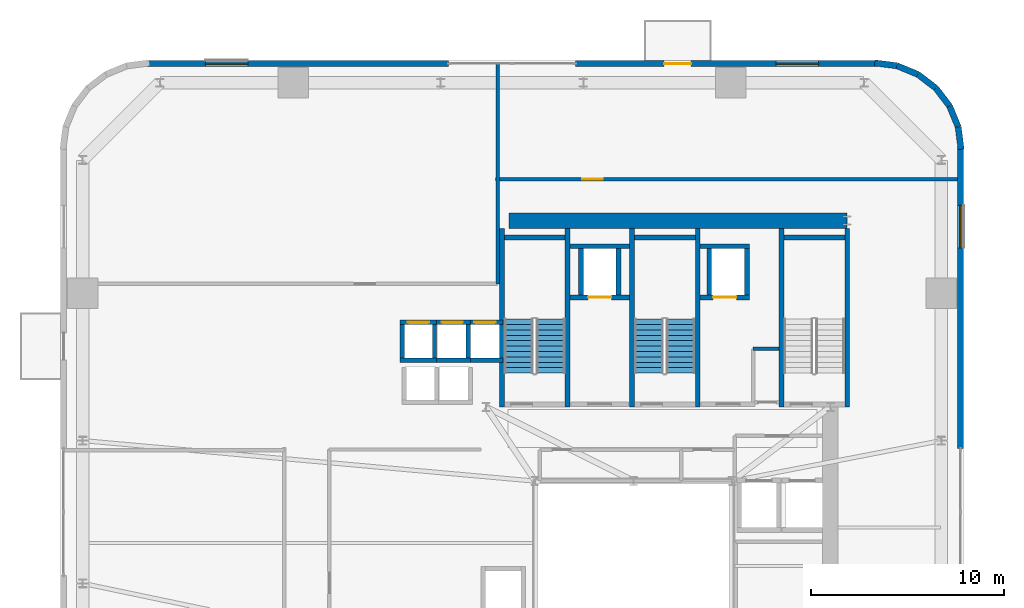
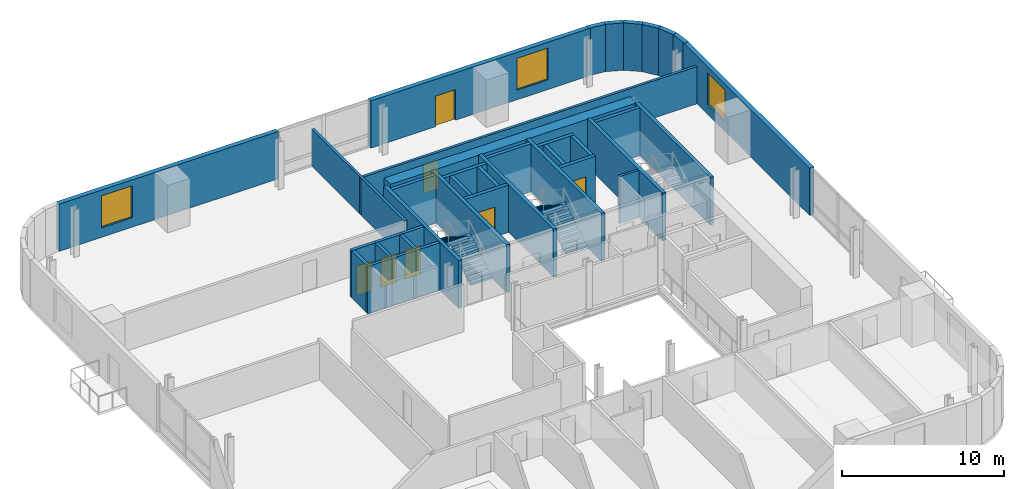
# One storey, part 8 of 14: 39 walls, 7 doors, 4 stair flights, 3 windows, 10 openings, 2 elements without a shape of their own.
"""IFC4 building model written with IfcOpenShell, lengths in metres."""

from ifc_helpers import new_model, si_unit, direction, frame, frame_2d, origin, place, context, subcontext, project, spatial, polyline, rectangle, outline, extrude, source, transform, mapped, material, layer, layer_set, type_object, element, fill, aggregate, save


model = new_model("IFC4")

# Units and contexts
model_context = context("Model", 3, precision=1e-05, world=origin(), true_north=direction((0.0, 1.0)))
body_context = subcontext(model_context, "Body", "Model", "MODEL_VIEW")
ifc_project = project(units=[si_unit("LENGTHUNIT", "METRE"), si_unit("AREAUNIT", "SQUARE_METRE"), si_unit("VOLUMEUNIT", "CUBIC_METRE"), si_unit("PLANEANGLEUNIT", "RADIAN"), si_unit("MASSUNIT", "GRAM", prefix="KILO")], contexts=[model_context])

# Site, building, storey
site_placement = place(None, origin())
site = spatial("IfcSite", under=ifc_project, at=site_placement, CompositionType="ELEMENT")
building_placement = place(site_placement, origin())
building = spatial("IfcBuilding", under=site, at=building_placement, Name="Vardaveli Station Tower", CompositionType="ELEMENT")
storey_placement = place(building_placement, frame((0.0, 0.0, 107.5)))
storey = spatial("IfcBuildingStorey", under=building, at=storey_placement, Name="L27", CompositionType="ELEMENT", Elevation=107.5)

# Wall
ifc_material_1 = material(Name="Concrete C50/60", Category="concrete")
ifc_layer_1 = layer(ifc_material_1, 0.800048828125, Name="Concrete C50/60")
ifc_layer_set_1 = layer_set([ifc_layer_1], Name="Concrete C50/60")
wall_type_1 = type_object("IfcWallType", Name="WAL-CORE-800", PredefinedType="SHEAR", material=ifc_layer_set_1)
shared_shape_1 = source(origin(), body_context, "Body", "SweptSolid", [
    extrude(rectangle(XDim=17.52001953125, YDim=0.800048828125, at=frame_2d((8.760009765625, 0.0))), origin(), (0.0, 0.0, 1.0), 3.56005859375),
])
wall_1_placement = place(storey_placement, frame((29.85009765625, 40.300048828125, 0.0), z_axis=(0.0, 0.0, 1.0), x_axis=(1.0, 0.0, 0.0)))
element("IfcWall", 1, at=wall_1_placement, inside=storey, type_object=wall_type_1, Name="SW-L27-NORTH", PredefinedType="SHEAR", context=body_context, shape_type="MappedRepresentation", body=[
    mapped(shared_shape_1, transform((0.0, 0.0, 0.0), scale=1.0)),
])

# Wall, openings, door, window
ifc_material_2 = material(Name="Precast concrete C45/55", Category="concrete")
ifc_layer_2 = layer(ifc_material_2, 0.320068359375, Name="Precast concrete C45/55")
ifc_layer_set_2 = layer_set([ifc_layer_2], Name="Precast concrete C45/55")
wall_type_2 = type_object("IfcWallType", Name="WAL-EXT-STONE-320", PredefinedType="SOLIDWALL", material=ifc_layer_set_2)
shared_shape_2 = source(origin(), body_context, "Body", "SweptSolid", [
    extrude(rectangle(XDim=15.599853515625, YDim=0.320068359375, at=frame_2d((7.7998046875, 0.0))), origin(), (0.0, 0.0, 1.0), 3.56005859375),
])
wall_2_placement = place(storey_placement, frame((48.89990234375, 48.43994140625, 0.0), z_axis=(0.0, 0.0, 1.0), x_axis=(-1.0, 0.0, 0.0)))
wall_2 = element("IfcWall", 2, at=wall_2_placement, inside=storey, type_object=wall_type_2, Name="EW-L27-N1", PredefinedType="SOLIDWALL", context=body_context, shape_type="MappedRepresentation", body=[
    mapped(shared_shape_2, transform((0.0, 0.0, 0.0), scale=1.0)),
])
shared_shape_3 = source(origin(), body_context, "Body", "SweptSolid", [
    extrude(rectangle(XDim=1.39990234375, YDim=2.300048828125, at=frame_2d((0.699951171875, 1.14990234375))), frame((0.0, 0.169921875, 0.0), z_axis=(0.0, -1.0, 0.0), x_axis=(1.0, 0.0, 0.0)), (0.0, 0.0, 1.0), 0.340087890625),
])
opening_1_placement = place(wall_2_placement, frame((9.6103515625, 0.0, 0.0)))
opening_1 = element("IfcOpeningElement", 3, at=opening_1_placement, cuts=wall_2, Name="Opening D-09", PredefinedType="OPENING", context=body_context, shape_type="MappedRepresentation", body=[
    mapped(shared_shape_3, transform((0.0, 0.0, 0.0), scale=1.0)),
])
shared_shape_4 = source(origin(), body_context, "Body", "SweptSolid", [
    extrude(rectangle(XDim=2.199951171875, YDim=2.39990234375, at=frame_2d((1.10009765625, 1.199951171875))), frame((0.0, 0.169921875, 0.0), z_axis=(0.0, -1.0, 0.0), x_axis=(1.0, 0.0, 0.0)), (0.0, 0.0, 1.0), 0.340087890625),
])
opening_2_placement = place(wall_2_placement, frame((3.0048828125, 0.0, 0.719970703125)))
opening_2 = element("IfcOpeningElement", 4, at=opening_2_placement, cuts=wall_2, Name="Opening W-03", PredefinedType="OPENING", context=body_context, shape_type="MappedRepresentation", body=[
    mapped(shared_shape_4, transform((0.0, 0.0, 0.0), scale=1.0)),
])
ifc_material_3 = material(Name="Thermally broken aluminium glass", Category="aluminium")
door_type_1 = type_object("IfcDoorType", Name="DR-LOG-1400x2300", OperationType="DOUBLE_DOOR_SLIDING", PredefinedType="DOOR", material=ifc_material_3)
shared_shape_5 = source(origin(), body_context, "Body", "SweptSolid", [
    extrude(rectangle(XDim=1.39990234375, YDim=2.300048828125, at=frame_2d((0.699951171875, 1.14990234375))), frame((0.0, 0.02490234375, 0.0), z_axis=(0.0, -1.0, 0.0), x_axis=(1.0, 0.0, 0.0)), (0.0, 0.0, 1.0), 0.050048828125),
])
door_1_placement = place(opening_1_placement, frame((1.39990234375, 0.0, 0.0), z_axis=(0.0, 0.0, 1.0), x_axis=(-1.0, 0.0, 0.0)))
door_1 = element("IfcDoor", 5, at=door_1_placement, inside=storey, type_object=door_type_1, Name="DLG-L27-N", OperationType="DOUBLE_DOOR_SLIDING", OverallHeight=2.300048828125, OverallWidth=1.39990234375, PredefinedType="DOOR", context=body_context, shape_type="MappedRepresentation", body=[
    mapped(shared_shape_5, transform((0.0, 0.0, 0.0), scale=1.0)),
])
fill(opening_1, door_1)
ifc_material_4 = material(Name="Low-E solar-control glass", Category="glass")
window_type = type_object("IfcWindowType", Name="WIN-LOG-2200x2400", PartitioningType="SINGLE_PANEL", PredefinedType="WINDOW", material=ifc_material_4)
shared_shape_6 = source(origin(), body_context, "Body", "SweptSolid", [
    extrude(rectangle(XDim=2.199951171875, YDim=2.39990234375, at=frame_2d((1.10009765625, 1.199951171875))), frame((0.0, 0.030029296875, 0.0), z_axis=(0.0, -1.0, 0.0), x_axis=(1.0, 0.0, 0.0)), (0.0, 0.0, 1.0), 0.06005859375),
])
window_1_placement = place(opening_2_placement, origin())
window_1 = element("IfcWindow", 6, at=window_1_placement, inside=storey, type_object=window_type, Name="WN-L27-N1", OverallHeight=2.39990234375, OverallWidth=2.199951171875, PartitioningType="SINGLE_PANEL", PredefinedType="WINDOW", context=body_context, shape_type="MappedRepresentation", body=[
    mapped(shared_shape_6, transform((0.0, 0.0, 0.0), scale=1.0)),
])
fill(opening_2, window_1)

# Wall, opening, window
wall_3_placement = place(storey_placement, frame((26.699951171875, 48.43994140625, 0.0), z_axis=(0.0, 0.0, 1.0), x_axis=(-1.0, 0.0, 0.0)))
wall_3 = element("IfcWall", 7, at=wall_3_placement, inside=storey, type_object=wall_type_2, Name="EW-L27-N2", PredefinedType="SOLIDWALL", context=body_context, shape_type="MappedRepresentation", body=[
    mapped(shared_shape_2, transform((0.0, 0.0, 0.0), scale=1.0)),
])
opening_3_placement = place(wall_3_placement, frame((10.39501953125, 0.0, 0.719970703125)))
opening_3 = element("IfcOpeningElement", 8, at=opening_3_placement, cuts=wall_3, Name="Opening W-03", PredefinedType="OPENING", context=body_context, shape_type="MappedRepresentation", body=[
    mapped(shared_shape_4, transform((0.0, 0.0, 0.0), scale=1.0)),
])
window_2_placement = place(opening_3_placement, origin())
window_2 = element("IfcWindow", 9, at=window_2_placement, inside=storey, type_object=window_type, Name="WN-L27-N2", OverallHeight=2.39990234375, OverallWidth=2.199951171875, PartitioningType="SINGLE_PANEL", PredefinedType="WINDOW", context=body_context, shape_type="MappedRepresentation", body=[
    mapped(shared_shape_6, transform((0.0, 0.0, 0.0), scale=1.0)),
])
fill(opening_3, window_2)

shared_shape_7 = source(origin(), body_context, "Body", "SweptSolid", [
    extrude(rectangle(XDim=15.60009765625, YDim=0.320068359375, at=frame_2d((7.800048828125, 0.0))), origin(), (0.0, 0.0, 1.0), 3.56005859375),
])
wall_4_placement = place(storey_placement, frame((53.239990234375, 28.5, 0.0), z_axis=(0.0, 0.0, 1.0), x_axis=(0.0, 1.0, 0.0)))
wall_4 = element("IfcWall", 10, at=wall_4_placement, inside=storey, type_object=wall_type_2, Name="EW-L27-E2", PredefinedType="SOLIDWALL", context=body_context, shape_type="MappedRepresentation", body=[
    mapped(shared_shape_7, transform((0.0, 0.0, 0.0), scale=1.0)),
])
opening_4_placement = place(wall_4_placement, frame((10.39501953125, 0.0, 0.719970703125)))
opening_4 = element("IfcOpeningElement", 11, at=opening_4_placement, cuts=wall_4, Name="Opening W-03", PredefinedType="OPENING", context=body_context, shape_type="MappedRepresentation", body=[
    mapped(shared_shape_4, transform((0.0, 0.0, 0.0), scale=1.0)),
])
window_3_placement = place(opening_4_placement, origin())
window_3 = element("IfcWindow", 12, at=window_3_placement, inside=storey, type_object=window_type, Name="WN-L27-E2", OverallHeight=2.39990234375, OverallWidth=2.199951171875, PartitioningType="SINGLE_PANEL", PredefinedType="WINDOW", context=body_context, shape_type="MappedRepresentation", body=[
    mapped(shared_shape_6, transform((0.0, 0.0, 0.0), scale=1.0)),
])
fill(opening_4, window_3)

# Walls
shared_shape_8 = source(origin(), body_context, "Body", "SweptSolid", [
    extrude(rectangle(XDim=1.1689453125, YDim=0.320068359375, at=frame_2d((0.58447265625, 0.0))), origin(), (0.0, 0.0, 1.0), 3.56005859375),
])
wall_5_placement = place(storey_placement, frame((52.679931640625, 46.2412109375, 0.0), z_axis=(0.0, 0.0, 1.0), x_axis=(-0.608387696831, 0.793639975269, 0.0)))
element("IfcWall", 13, at=wall_5_placement, inside=storey, type_object=wall_type_2, Name="EW-L27-CR3-3", PredefinedType="SOLIDWALL", context=body_context, shape_type="MappedRepresentation", body=[
    mapped(shared_shape_8, transform((0.0, 0.0, 0.0), scale=1.0)),
])
shared_shape_9 = source(origin(), body_context, "Body", "SweptSolid", [
    extrude(rectangle(XDim=1.168701171875, YDim=0.320068359375, at=frame_2d((0.58447265625, 0.0))), origin(), (0.0, 0.0, 1.0), 3.56005859375),
])
wall_6_placement = place(storey_placement, frame((51.96875, 47.1689453125, 0.0), z_axis=(0.0, 0.0, 1.0), x_axis=(-0.793663520347, 0.608356981114, 0.0)))
element("IfcWall", 14, at=wall_6_placement, inside=storey, type_object=wall_type_2, Name="EW-L27-CR3-4", PredefinedType="SOLIDWALL", context=body_context, shape_type="MappedRepresentation", body=[
    mapped(shared_shape_9, transform((0.0, 0.0, 0.0), scale=1.0)),
])
shared_shape_10 = source(origin(), body_context, "Body", "SweptSolid", [
    extrude(rectangle(XDim=1.17041015625, YDim=0.320068359375, at=frame_2d((0.585205078125, 0.0))), origin(), (0.0, 0.0, 1.0), 3.56005859375),
])
for number, where, z_axis, x_axis, name in (
    (15, (53.275634765625, 43.99951171875, 0.0), (0.0, 0.0, 1.0), (-0.128295670475, 0.991735963317, 0.0), "EW-L27-CR3-1"),
    (16, (49.960205078125, 48.325439453125, 0.0), (0.0, 0.0, 1.0), (-0.991735963317, 0.128295670475, 0.0), "EW-L27-CR3-6"),
):
    element("IfcWall", number, at=place(storey_placement, frame(where, z_axis=z_axis, x_axis=x_axis)), inside=storey, type_object=wall_type_2, Name=name, PredefinedType="SOLIDWALL", context=body_context, shape_type="MappedRepresentation", body=[
        mapped(shared_shape_10, transform((0.0, 0.0, 0.0), scale=1.0)),
    ])
shared_shape_11 = source(origin(), body_context, "Body", "SweptSolid", [
    extrude(rectangle(XDim=1.169189453125, YDim=0.320068359375, at=frame_2d((0.58447265625, 0.0))), origin(), (0.0, 0.0, 1.0), 3.56005859375),
])
for number, where, z_axis, x_axis, name in (
    (17, (53.12548828125, 45.16015625, 0.0), (0.0, 0.0, 1.0), (-0.381054331552, 0.924552646638, 0.0), "EW-L27-CR3-2"),
    (18, (51.041259765625, 47.8798828125, 0.0), (0.0, 0.0, 1.0), (-0.924552646638, 0.381054331552, 0.0), "EW-L27-CR3-5"),
):
    element("IfcWall", number, at=place(storey_placement, frame(where, z_axis=z_axis, x_axis=x_axis)), inside=storey, type_object=wall_type_2, Name=name, PredefinedType="SOLIDWALL", context=body_context, shape_type="MappedRepresentation", body=[
        mapped(shared_shape_11, transform((0.0, 0.0, 0.0), scale=1.0)),
    ])
ifc_material_5 = material(Name="Concrete C40/50", Category="concrete")
ifc_layer_3 = layer(ifc_material_5, 0.25, Name="Concrete C40/50")
ifc_layer_set_3 = layer_set([ifc_layer_3], Name="Concrete C40/50")
wall_type_3 = type_object("IfcWallType", Name="WAL-SHAFT-250", PredefinedType="SOLIDWALL", material=ifc_layer_set_3)
shared_shape_12 = source(origin(), body_context, "Body", "SweptSolid", [
    extrude(rectangle(XDim=9.25, YDim=0.25, at=frame_2d((4.625, 0.0))), origin(), (0.0, 0.0, 1.0), 3.60009765625),
])
for number, where, z_axis, x_axis, name in (
    (19, (29.47509765625, 30.64990234375, 0.0), (0.0, 0.0, 1.0), (0.0, 1.0, 0.0), "W-L27-ST-1W"),
    (20, (32.875, 30.64990234375, 0.0), (0.0, 0.0, 1.0), (0.0, 1.0, 0.0), "W-L27-ST-1E"),
    (21, (36.22509765625, 30.64990234375, 0.0), (0.0, 0.0, 1.0), (0.0, 1.0, 0.0), "W-L27-ST-2W"),
    (22, (39.625, 30.64990234375, 0.0), (0.0, 0.0, 1.0), (0.0, 1.0, 0.0), "W-L27-ST-2E"),
    (23, (43.97509765625, 30.64990234375, 0.0), (0.0, 0.0, 1.0), (0.0, 1.0, 0.0), "W-L27-ST-3W"),
    (24, (47.375, 30.64990234375, 0.0), (0.0, 0.0, 1.0), (0.0, 1.0, 0.0), "W-L27-ST-3E"),
):
    element("IfcWall", number, at=place(storey_placement, frame(where, z_axis=z_axis, x_axis=x_axis)), inside=storey, type_object=wall_type_3, Name=name, PredefinedType="SOLIDWALL", context=body_context, shape_type="MappedRepresentation", body=[
        mapped(shared_shape_12, transform((0.0, 0.0, 0.0), scale=1.0)),
    ])
shared_shape_13 = source(origin(), body_context, "Body", "SweptSolid", [
    extrude(rectangle(XDim=3.14990234375, YDim=0.25, at=frame_2d((1.574951171875, 0.0))), origin(), (0.0, 0.0, 1.0), 3.60009765625),
])
for number, where, z_axis, x_axis, name in (
    (25, (29.60009765625, 39.425048828125, 0.0), (0.0, 0.0, 1.0), (1.0, 0.0, 0.0), "W-L27-ST-1N"),
    (26, (36.35009765625, 39.425048828125, 0.0), (0.0, 0.0, 1.0), (1.0, 0.0, 0.0), "W-L27-ST-2N"),
    (27, (44.10009765625, 39.425048828125, 0.0), (0.0, 0.0, 1.0), (1.0, 0.0, 0.0), "W-L27-ST-3N"),
):
    element("IfcWall", number, at=place(storey_placement, frame(where, z_axis=z_axis, x_axis=x_axis)), inside=storey, type_object=wall_type_3, Name=name, PredefinedType="SOLIDWALL", context=body_context, shape_type="MappedRepresentation", body=[
        mapped(shared_shape_13, transform((0.0, 0.0, 0.0), scale=1.0)),
    ])
ifc_layer_4 = layer(ifc_material_5, 0.219970703125, Name="Concrete C40/50")
ifc_layer_set_4 = layer_set([ifc_layer_4], Name="Concrete C40/50")
wall_type_4 = type_object("IfcWallType", Name="WAL-FFLOBBY-220", PredefinedType="SOLIDWALL", material=ifc_layer_set_4)
shared_shape_14 = source(origin(), body_context, "Body", "SweptSolid", [
    extrude(rectangle(XDim=1.75, YDim=0.219970703125, at=frame_2d((0.875, 0.0))), origin(), (0.0, 0.0, 1.0), 3.56005859375),
])
for number, where, z_axis, x_axis, name in (
    (28, (24.31494140625, 33.175048828125, 0.0), (0.0, 0.0, 1.0), (0.0, 1.0, 0.0), "SHW-HL2-01-L27-W"),
    (29, (25.985107421875, 33.175048828125, 0.0), (0.0, 0.0, 1.0), (0.0, 1.0, 0.0), "SHW-HL2-01-L27-E"),
    (30, (27.735107421875, 33.175048828125, 0.0), (0.0, 0.0, 1.0), (0.0, 1.0, 0.0), "SHW-HL2-02-L27-E"),
):
    element("IfcWall", number, at=place(storey_placement, frame(where, z_axis=z_axis, x_axis=x_axis)), inside=storey, type_object=wall_type_4, Name=name, PredefinedType="SOLIDWALL", context=body_context, shape_type="MappedRepresentation", body=[
        mapped(shared_shape_14, transform((0.0, 0.0, 0.0), scale=1.0)),
    ])
shared_shape_15 = source(origin(), body_context, "Body", "SweptSolid", [
    extrude(rectangle(XDim=1.889892578125, YDim=0.219970703125, at=frame_2d((0.94482421875, 0.0))), origin(), (0.0, 0.0, 1.0), 3.56005859375),
])
wall_7_placement = place(storey_placement, frame((24.205078125, 33.06494140625, 0.0), z_axis=(0.0, 0.0, 1.0), x_axis=(1.0, 0.0, 0.0)))
element("IfcWall", 31, at=wall_7_placement, inside=storey, type_object=wall_type_4, Name="SHW-HL2-01-L27-S", PredefinedType="SOLIDWALL", context=body_context, shape_type="MappedRepresentation", body=[
    mapped(shared_shape_15, transform((0.0, 0.0, 0.0), scale=1.0)),
])

# Wall, opening, door
wall_8_placement = place(storey_placement, frame((24.205078125, 35.034912109375, 0.0), z_axis=(0.0, 0.0, 1.0), x_axis=(1.0, 0.0, 0.0)))
wall_8 = element("IfcWall", 32, at=wall_8_placement, inside=storey, type_object=wall_type_4, Name="SHW-HL2-01-L27-N", PredefinedType="SOLIDWALL", context=body_context, shape_type="MappedRepresentation", body=[
    mapped(shared_shape_15, transform((0.0, 0.0, 0.0), scale=1.0)),
])
shared_shape_16 = source(origin(), body_context, "Body", "SweptSolid", [
    extrude(rectangle(XDim=1.10009765625, YDim=2.199951171875, at=frame_2d((0.550048828125, 1.10009765625))), frame((0.0, 0.1201171875, 0.0), z_axis=(0.0, -1.0, 0.0), x_axis=(1.0, 0.0, 0.0)), (0.0, 0.0, 1.0), 0.239990234375),
])
opening_5_placement = place(wall_8_placement, frame((0.39501953125, 0.0, 0.0)))
opening_5 = element("IfcOpeningElement", 33, at=opening_5_placement, cuts=wall_8, Name="Opening LD-01", PredefinedType="OPENING", context=body_context, shape_type="MappedRepresentation", body=[
    mapped(shared_shape_16, transform((0.0, 0.0, 0.0), scale=1.0)),
])
ifc_material_6 = material(Name="Brushed stainless steel", Category="steel")
door_type_2 = type_object("IfcDoorType", Name="DR-LD-1100x2200", OperationType="DOUBLE_DOOR_SLIDING", PredefinedType="DOOR", material=ifc_material_6)
shared_shape_17 = source(origin(), body_context, "Body", "SweptSolid", [
    extrude(rectangle(XDim=1.10009765625, YDim=2.199951171875, at=frame_2d((0.550048828125, 1.10009765625))), frame((0.0, 0.02490234375, 0.0), z_axis=(0.0, -1.0, 0.0), x_axis=(1.0, 0.0, 0.0)), (0.0, 0.0, 1.0), 0.050048828125),
])
door_2_placement = place(opening_5_placement, origin())
door_2 = element("IfcDoor", 34, at=door_2_placement, inside=storey, type_object=door_type_2, Name="LD-HL2-01-L27", OperationType="DOUBLE_DOOR_SLIDING", OverallHeight=2.199951171875, OverallWidth=1.10009765625, PredefinedType="DOOR", context=body_context, shape_type="MappedRepresentation", body=[
    mapped(shared_shape_17, transform((0.0, 0.0, 0.0), scale=1.0)),
])
fill(opening_5, door_2)

# Wall
wall_9_placement = place(storey_placement, frame((25.955078125, 33.06494140625, 0.0), z_axis=(0.0, 0.0, 1.0), x_axis=(1.0, 0.0, 0.0)))
element("IfcWall", 35, at=wall_9_placement, inside=storey, type_object=wall_type_4, Name="SHW-HL2-02-L27-S", PredefinedType="SOLIDWALL", context=body_context, shape_type="MappedRepresentation", body=[
    mapped(shared_shape_15, transform((0.0, 0.0, 0.0), scale=1.0)),
])

# Wall, opening, door
wall_10_placement = place(storey_placement, frame((25.955078125, 35.034912109375, 0.0), z_axis=(0.0, 0.0, 1.0), x_axis=(1.0, 0.0, 0.0)))
wall_10 = element("IfcWall", 36, at=wall_10_placement, inside=storey, type_object=wall_type_4, Name="SHW-HL2-02-L27-N", PredefinedType="SOLIDWALL", context=body_context, shape_type="MappedRepresentation", body=[
    mapped(shared_shape_15, transform((0.0, 0.0, 0.0), scale=1.0)),
])
opening_6_placement = place(wall_10_placement, frame((0.39501953125, 0.0, 0.0)))
opening_6 = element("IfcOpeningElement", 37, at=opening_6_placement, cuts=wall_10, Name="Opening LD-01", PredefinedType="OPENING", context=body_context, shape_type="MappedRepresentation", body=[
    mapped(shared_shape_16, transform((0.0, 0.0, 0.0), scale=1.0)),
])
door_3_placement = place(opening_6_placement, origin())
door_3 = element("IfcDoor", 38, at=door_3_placement, inside=storey, type_object=door_type_2, Name="LD-HL2-02-L27", OperationType="DOUBLE_DOOR_SLIDING", OverallHeight=2.199951171875, OverallWidth=1.10009765625, PredefinedType="DOOR", context=body_context, shape_type="MappedRepresentation", body=[
    mapped(shared_shape_17, transform((0.0, 0.0, 0.0), scale=1.0)),
])
fill(opening_6, door_3)

# Wall
wall_11_placement = place(storey_placement, frame((27.655029296875, 33.06494140625, 0.0), z_axis=(0.0, 0.0, 1.0), x_axis=(1.0, 0.0, 0.0)))
element("IfcWall", 39, at=wall_11_placement, inside=storey, type_object=wall_type_4, Name="SHW-HL2-03-L27-S", PredefinedType="SOLIDWALL", context=body_context, shape_type="MappedRepresentation", body=[
    mapped(shared_shape_15, transform((0.0, 0.0, 0.0), scale=1.0)),
])

# Wall, opening, door
wall_12_placement = place(storey_placement, frame((27.655029296875, 35.034912109375, 0.0), z_axis=(0.0, 0.0, 1.0), x_axis=(1.0, 0.0, 0.0)))
wall_12 = element("IfcWall", 40, at=wall_12_placement, inside=storey, type_object=wall_type_4, Name="SHW-HL2-03-L27-N", PredefinedType="SOLIDWALL", context=body_context, shape_type="MappedRepresentation", body=[
    mapped(shared_shape_15, transform((0.0, 0.0, 0.0), scale=1.0)),
])
opening_7_placement = place(wall_12_placement, frame((0.39501953125, 0.0, 0.0)))
opening_7 = element("IfcOpeningElement", 41, at=opening_7_placement, cuts=wall_12, Name="Opening LD-01", PredefinedType="OPENING", context=body_context, shape_type="MappedRepresentation", body=[
    mapped(shared_shape_16, transform((0.0, 0.0, 0.0), scale=1.0)),
])
door_4_placement = place(opening_7_placement, origin())
door_4 = element("IfcDoor", 42, at=door_4_placement, inside=storey, type_object=door_type_2, Name="LD-HL2-03-L27", OperationType="DOUBLE_DOOR_SLIDING", OverallHeight=2.199951171875, OverallWidth=1.10009765625, PredefinedType="DOOR", context=body_context, shape_type="MappedRepresentation", body=[
    mapped(shared_shape_17, transform((0.0, 0.0, 0.0), scale=1.0)),
])
fill(opening_7, door_4)

shared_shape_18 = source(origin(), body_context, "Body", "SweptSolid", [
    extrude(rectangle(XDim=3.10009765625, YDim=0.25, at=frame_2d((1.550048828125, 0.0))), origin(), (0.0, 0.0, 1.0), 3.56005859375),
])
wall_13_placement = place(storey_placement, frame((33.0, 36.324951171875, 0.0), z_axis=(0.0, 0.0, 1.0), x_axis=(1.0, 0.0, 0.0)))
wall_13 = element("IfcWall", 43, at=wall_13_placement, inside=storey, type_object=wall_type_3, Name="SHW-FFL-01-L27-S", PredefinedType="SOLIDWALL", context=body_context, shape_type="MappedRepresentation", body=[
    mapped(shared_shape_18, transform((0.0, 0.0, 0.0), scale=1.0)),
])
shared_shape_19 = source(origin(), body_context, "Body", "SweptSolid", [
    extrude(rectangle(XDim=1.199951171875, YDim=2.25, at=frame_2d((0.60009765625, 1.125))), frame((0.0, 0.135009765625, 0.0), z_axis=(0.0, -1.0, 0.0), x_axis=(1.0, 0.0, 0.0)), (0.0, 0.0, 1.0), 0.27001953125),
])
opening_8_placement = place(wall_13_placement, frame((0.949951171875, 0.0, 0.0)))
opening_8 = element("IfcOpeningElement", 44, at=opening_8_placement, cuts=wall_13, Name="Opening LD-02", PredefinedType="OPENING", context=body_context, shape_type="MappedRepresentation", body=[
    mapped(shared_shape_19, transform((0.0, 0.0, 0.0), scale=1.0)),
])
door_type_3 = type_object("IfcDoorType", Name="DR-LD-1200x2250", OperationType="DOUBLE_DOOR_SLIDING", PredefinedType="DOOR", material=ifc_material_6)
shared_shape_20 = source(origin(), body_context, "Body", "SweptSolid", [
    extrude(rectangle(XDim=1.199951171875, YDim=2.25, at=frame_2d((0.60009765625, 1.125))), frame((0.0, 0.02490234375, 0.0), z_axis=(0.0, -1.0, 0.0), x_axis=(1.0, 0.0, 0.0)), (0.0, 0.0, 1.0), 0.050048828125),
])
door_5_placement = place(opening_8_placement, origin())
door_5 = element("IfcDoor", 45, at=door_5_placement, inside=storey, type_object=door_type_3, Name="LD-FFL-01-L27", OperationType="DOUBLE_DOOR_SLIDING", OverallHeight=2.25, OverallWidth=1.199951171875, PredefinedType="DOOR", context=body_context, shape_type="MappedRepresentation", body=[
    mapped(shared_shape_20, transform((0.0, 0.0, 0.0), scale=1.0)),
])
fill(opening_8, door_5)

# Walls
wall_14_placement = place(storey_placement, frame((33.0, 38.97509765625, 0.0), z_axis=(0.0, 0.0, 1.0), x_axis=(1.0, 0.0, 0.0)))
element("IfcWall", 46, at=wall_14_placement, inside=storey, type_object=wall_type_3, Name="SHW-FFL-01-L27-N", PredefinedType="SOLIDWALL", context=body_context, shape_type="MappedRepresentation", body=[
    mapped(shared_shape_18, transform((0.0, 0.0, 0.0), scale=1.0)),
])
shared_shape_21 = source(origin(), body_context, "Body", "SweptSolid", [
    extrude(rectangle(XDim=2.400146484375, YDim=0.25, at=frame_2d((1.2001953125, 0.0))), origin(), (0.0, 0.0, 1.0), 3.56005859375),
])
for number, where, z_axis, x_axis, name in (
    (47, (33.574951171875, 36.449951171875, 0.0), (0.0, 0.0, 1.0), (0.0, 1.0, 0.0), "SHW-FFL-01-L27-W"),
    (48, (35.52490234375, 36.449951171875, 0.0), (0.0, 0.0, 1.0), (0.0, 1.0, 0.0), "SHW-FFL-01-L27-E"),
    (49, (40.22509765625, 36.449951171875, 0.0), (0.0, 0.0, 1.0), (0.0, 1.0, 0.0), "SHW-FFL-02-L27-W"),
    (50, (42.175048828125, 36.449951171875, 0.0), (0.0, 0.0, 1.0), (0.0, 1.0, 0.0), "SHW-FFL-02-L27-E"),
):
    element("IfcWall", number, at=place(storey_placement, frame(where, z_axis=z_axis, x_axis=x_axis)), inside=storey, type_object=wall_type_3, Name=name, PredefinedType="SOLIDWALL", context=body_context, shape_type="MappedRepresentation", body=[
        mapped(shared_shape_21, transform((0.0, 0.0, 0.0), scale=1.0)),
    ])

# Wall, opening, door
shared_shape_22 = source(origin(), body_context, "Body", "SweptSolid", [
    extrude(rectangle(XDim=2.550048828125, YDim=0.25, at=frame_2d((1.27490234375, 0.0))), origin(), (0.0, 0.0, 1.0), 3.56005859375),
])
wall_15_placement = place(storey_placement, frame((39.75, 36.324951171875, 0.0), z_axis=(0.0, 0.0, 1.0), x_axis=(1.0, 0.0, 0.0)))
wall_15 = element("IfcWall", 51, at=wall_15_placement, inside=storey, type_object=wall_type_3, Name="SHW-FFL-02-L27-S", PredefinedType="SOLIDWALL", context=body_context, shape_type="MappedRepresentation", body=[
    mapped(shared_shape_22, transform((0.0, 0.0, 0.0), scale=1.0)),
])
opening_9_placement = place(wall_15_placement, frame((0.675048828125, 0.0, 0.0)))
opening_9 = element("IfcOpeningElement", 52, at=opening_9_placement, cuts=wall_15, Name="Opening LD-02", PredefinedType="OPENING", context=body_context, shape_type="MappedRepresentation", body=[
    mapped(shared_shape_19, transform((0.0, 0.0, 0.0), scale=1.0)),
])
door_6_placement = place(opening_9_placement, origin())
door_6 = element("IfcDoor", 53, at=door_6_placement, inside=storey, type_object=door_type_3, Name="LD-FFL-02-L27", OperationType="DOUBLE_DOOR_SLIDING", OverallHeight=2.25, OverallWidth=1.199951171875, PredefinedType="DOOR", context=body_context, shape_type="MappedRepresentation", body=[
    mapped(shared_shape_20, transform((0.0, 0.0, 0.0), scale=1.0)),
])
fill(opening_9, door_6)

# Wall
wall_16_placement = place(storey_placement, frame((39.75, 38.97509765625, 0.0), z_axis=(0.0, 0.0, 1.0), x_axis=(1.0, 0.0, 0.0)))
element("IfcWall", 54, at=wall_16_placement, inside=storey, type_object=wall_type_3, Name="SHW-FFL-02-L27-N", PredefinedType="SOLIDWALL", context=body_context, shape_type="MappedRepresentation", body=[
    mapped(shared_shape_22, transform((0.0, 0.0, 0.0), scale=1.0)),
])

# Wall, opening, door
ifc_material_7 = material(Name="Fire-rated gypsum stud partition")
ifc_layer_5 = layer(ifc_material_7, 0.179931640625, Name="Fire-rated gypsum stud partition")
ifc_layer_set_5 = layer_set([ifc_layer_5], Name="Fire-rated gypsum stud partition")
wall_type_5 = type_object("IfcWallType", Name="WAL-CORR-180", PredefinedType="PARTITIONING", material=ifc_layer_set_5)
shared_shape_23 = source(origin(), body_context, "Body", "SweptSolid", [
    extrude(rectangle(XDim=23.927978515625, YDim=0.179931640625, at=frame_2d((11.9638671875, 0.0))), origin(), (0.0, 0.0, 1.0), 2.802001953125),
])
wall_17_placement = place(storey_placement, frame((29.14990234375, 42.449951171875, 0.0), z_axis=(0.0, 0.0, 1.0), x_axis=(1.0, 0.0, 0.0)))
wall_17 = element("IfcWall", 55, at=wall_17_placement, inside=storey, type_object=wall_type_5, Name="W-L27-NPS", PredefinedType="PARTITIONING", context=body_context, shape_type="MappedRepresentation", body=[
    mapped(shared_shape_23, transform((0.0, 0.0, 0.0), scale=1.0)),
])
shared_shape_24 = source(origin(), body_context, "Body", "SweptSolid", [
    extrude(rectangle(XDim=1.050048828125, YDim=2.199951171875, at=frame_2d((0.52490234375, 1.10009765625))), frame((0.0, 0.10009765625, 0.0), z_axis=(0.0, -1.0, 0.0), x_axis=(1.0, 0.0, 0.0)), (0.0, 0.0, 1.0), 0.199951171875),
])
opening_10_placement = place(wall_17_placement, frame((4.5, 0.0, 0.0)))
opening_10 = element("IfcOpeningElement", 56, at=opening_10_placement, cuts=wall_17, Name="Opening D-05", PredefinedType="OPENING", context=body_context, shape_type="MappedRepresentation", body=[
    mapped(shared_shape_24, transform((0.0, 0.0, 0.0), scale=1.0)),
])
ifc_material_8 = material(Name="Walnut veneer acoustic fire door")
door_type_4 = type_object("IfcDoorType", Name="DR-SUITE-1050x2200", OperationType="NOTDEFINED", PredefinedType="DOOR", material=ifc_material_8)
shared_shape_25 = source(origin(), body_context, "Body", "SweptSolid", [
    extrude(rectangle(XDim=1.050048828125, YDim=2.199951171875, at=frame_2d((0.52490234375, 1.10009765625))), frame((0.0, 0.02490234375, 0.0), z_axis=(0.0, -1.0, 0.0), x_axis=(1.0, 0.0, 0.0)), (0.0, 0.0, 1.0), 0.050048828125),
])
door_7_placement = place(opening_10_placement, origin())
door_7 = element("IfcDoor", 57, at=door_7_placement, inside=storey, type_object=door_type_4, Name="D-L27-NP1", OperationType="SINGLE_SWING_LEFT", OverallHeight=2.199951171875, OverallWidth=1.050048828125, PredefinedType="DOOR", context=body_context, shape_type="MappedRepresentation", body=[
    mapped(shared_shape_25, transform((0.0, 0.0, 0.0), scale=1.0)),
])
fill(opening_10, door_7)

# Walls
shared_shape_26 = source(origin(), body_context, "Body", "SweptSolid", [
    extrude(rectangle(XDim=11.449951171875, YDim=0.179931640625, at=frame_2d((5.72509765625, 0.0))), origin(), (0.0, 0.0, 1.0), 2.802001953125),
])
wall_18_placement = place(storey_placement, frame((29.25, 37.02001953125, 0.0), z_axis=(0.0, 0.0, 1.0), x_axis=(0.0, 1.0, 0.0)))
element("IfcWall", 58, at=wall_18_placement, inside=storey, type_object=wall_type_5, Name="W-L27-CNWE", PredefinedType="PARTITIONING", context=body_context, shape_type="MappedRepresentation", body=[
    mapped(shared_shape_26, transform((0.0, 0.0, 0.0), scale=1.0)),
])
shared_shape_27 = source(origin(), body_context, "Body", "SweptSolid", [
    extrude(rectangle(XDim=1.347900390625, YDim=0.179931640625, at=frame_2d((0.673828125, 0.0))), origin(), (0.0, 0.0, 1.0), 3.56005859375),
])
wall_19_placement = place(storey_placement, frame((42.5, 33.64990234375, 0.0), z_axis=(0.0, 0.0, 1.0), x_axis=(1.0, 0.0, 0.0)))
element("IfcWall", 59, at=wall_19_placement, inside=storey, type_object=wall_type_5, Name="W-L27-CBS0-N", PredefinedType="PARTITIONING", context=body_context, shape_type="MappedRepresentation", body=[
    mapped(shared_shape_27, transform((0.0, 0.0, 0.0), scale=1.0)),
])

# Stair, stair flights
stair_type = type_object("IfcStairType", Name="STR-CORE-1500", PredefinedType="HALF_TURN_STAIR", material=ifc_material_5)
stair_1_placement = place(storey_placement, origin())
stair_1 = element("IfcStair", 60, at=stair_1_placement, inside=storey, type_object=stair_type, Name="L27 ST-1", PredefinedType="HALF_TURN_STAIR")
stair_flight_type = type_object("IfcStairFlightType", Name="SFL-CORE-1500", PredefinedType="STRAIGHT", material=ifc_material_5)
shared_shape_28 = source(origin(), body_context, "Body", "SweptSolid", [
    extrude(outline(polyline([(0.0, 0.0), (0.0, 0.172607421875), (0.280029296875, 0.172607421875), (0.280029296875, 0.345458984375), (0.56005859375, 0.345458984375), (0.56005859375, 0.51806640625), (0.840087890625, 0.51806640625), (0.840087890625, 0.69091796875), (1.1201171875, 0.69091796875), (1.1201171875, 0.863525390625), (1.39990234375, 0.863525390625), (1.39990234375, 1.036376953125), (1.679931640625, 1.036376953125), (1.679931640625, 1.208984375), (1.9599609375, 1.208984375), (1.9599609375, 1.3818359375), (2.239990234375, 1.3818359375), (2.239990234375, 1.554443359375), (2.52001953125, 1.554443359375), (2.52001953125, 1.727294921875), (2.800048828125, 1.727294921875), (2.800048828125, 1.89990234375), (2.800048828125, 1.551025390625), (0.285400390625, 0.0), (0.0, 0.0)])), frame((0.0, 0.75, 0.0), z_axis=(0.0, -1.0, 0.0), x_axis=(1.0, 0.0, 0.0)), (0.0, 0.0, 1.0), 1.5),
])
stair_flight_1_placement = place(storey_placement, frame((32.0, 32.39990234375, 0.0), z_axis=(0.0, 0.0, 1.0), x_axis=(0.0, 1.0, 0.0)))
stair_flight_1 = element("IfcStairFlight", 61, at=stair_flight_1_placement, type_object=stair_flight_type, Name="ST-1 flight 1", NumberOfRisers=11, NumberOfTreads=10, PredefinedType="STRAIGHT", RiserHeight=0.172727273, TreadLength=0.28, context=body_context, shape_type="MappedRepresentation", body=[
    mapped(shared_shape_28, transform((0.0, 0.0, 0.0), scale=1.0)),
])
stair_flight_2_placement = place(storey_placement, frame((30.35009765625, 35.199951171875, 1.89990234375), z_axis=(0.0, 0.0, 1.0), x_axis=(0.0, -1.0, 0.0)))
stair_flight_2 = element("IfcStairFlight", 62, at=stair_flight_2_placement, type_object=stair_flight_type, Name="ST-1 flight 2", NumberOfRisers=11, NumberOfTreads=10, PredefinedType="STRAIGHT", RiserHeight=0.172727273, TreadLength=0.28, context=body_context, shape_type="MappedRepresentation", body=[
    mapped(shared_shape_28, transform((0.0, 0.0, 0.0), scale=1.0)),
])
aggregate(stair_1, [stair_flight_1, stair_flight_2])

stair_2_placement = place(storey_placement, origin())
stair_2 = element("IfcStair", 63, at=stair_2_placement, inside=storey, type_object=stair_type, Name="L27 ST-2", PredefinedType="HALF_TURN_STAIR")
stair_flight_3_placement = place(storey_placement, frame((38.75, 32.39990234375, 0.0), z_axis=(0.0, 0.0, 1.0), x_axis=(0.0, 1.0, 0.0)))
stair_flight_3 = element("IfcStairFlight", 64, at=stair_flight_3_placement, type_object=stair_flight_type, Name="ST-2 flight 1", NumberOfRisers=11, NumberOfTreads=10, PredefinedType="STRAIGHT", RiserHeight=0.172727273, TreadLength=0.28, context=body_context, shape_type="MappedRepresentation", body=[
    mapped(shared_shape_28, transform((0.0, 0.0, 0.0), scale=1.0)),
])
stair_flight_4_placement = place(storey_placement, frame((37.10009765625, 35.199951171875, 1.89990234375), z_axis=(0.0, 0.0, 1.0), x_axis=(0.0, -1.0, 0.0)))
stair_flight_4 = element("IfcStairFlight", 65, at=stair_flight_4_placement, type_object=stair_flight_type, Name="ST-2 flight 2", NumberOfRisers=11, NumberOfTreads=10, PredefinedType="STRAIGHT", RiserHeight=0.172727273, TreadLength=0.28, context=body_context, shape_type="MappedRepresentation", body=[
    mapped(shared_shape_28, transform((0.0, 0.0, 0.0), scale=1.0)),
])
aggregate(stair_2, [stair_flight_3, stair_flight_4])

save(model, "model.ifc")
